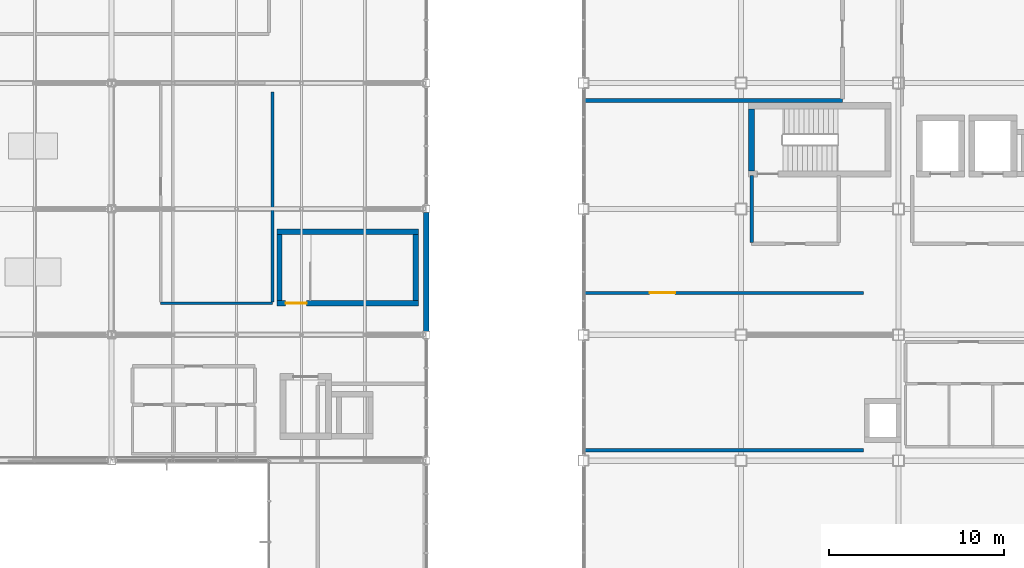
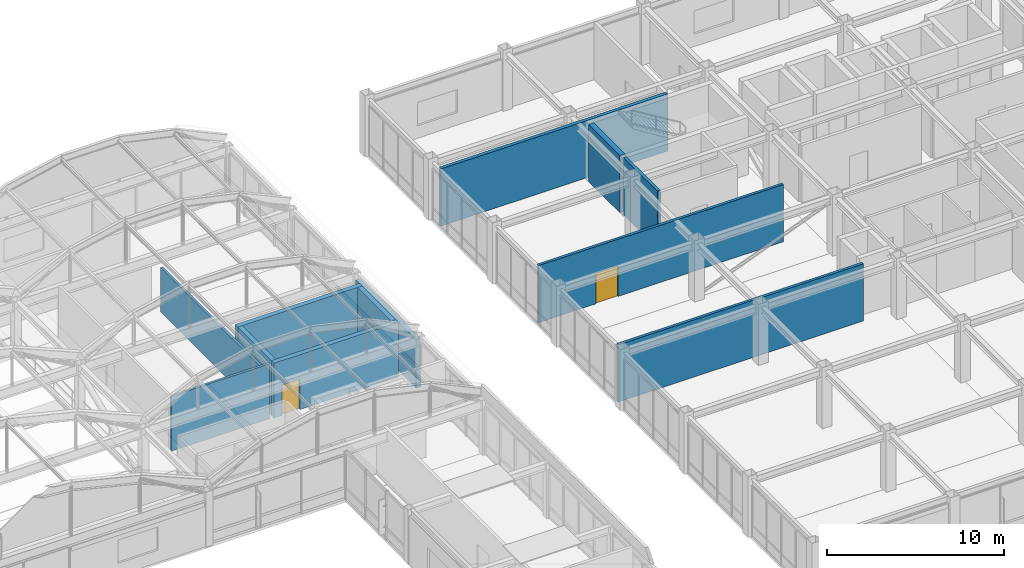
# One storey, part 87 of 106: 12 walls, 2 doors, 2 openings.
"""IFC4 building model written with IfcOpenShell, lengths in metres."""

from ifc_helpers import new_model, si_unit, direction, frame, frame_2d, origin, place, context, subcontext, project, spatial, rectangle, extrude, material, layer, layer_set, type_object, element, fill, save


model = new_model("IFC4")

# Units and contexts
model_context = context("Model", 3, precision=1e-05, world=origin(), true_north=direction((0.0, 1.0)))
body_context = subcontext(model_context, "Body", "Model", "MODEL_VIEW")
ifc_project = project(units=[si_unit("LENGTHUNIT", "METRE"), si_unit("AREAUNIT", "SQUARE_METRE"), si_unit("VOLUMEUNIT", "CUBIC_METRE"), si_unit("PLANEANGLEUNIT", "RADIAN"), si_unit("MASSUNIT", "GRAM", prefix="KILO")], contexts=[model_context])

# Site, building, storey
site_placement = place(None, origin())
site = spatial("IfcSite", under=ifc_project, at=site_placement, CompositionType="ELEMENT")
building_placement = place(site_placement, origin())
building = spatial("IfcBuilding", under=site, at=building_placement, Name="Kazanami Central Library", CompositionType="ELEMENT")
storey_placement = place(building_placement, frame((0.0, 0.0, 12.800048828125)))
storey = spatial("IfcBuildingStorey", under=building, at=storey_placement, Name="L04", CompositionType="ELEMENT", Elevation=12.800048828125)

# Walls
ifc_material_1 = material(Name="Concrete Fc36 (36 MPa)", Category="concrete")
ifc_layer_1 = layer(ifc_material_1, 0.219970703125, Name="Concrete Fc36 (36 MPa)")
ifc_material_2 = material(Name="Extruded Polystyrene XPS", Category="earth")
ifc_layer_2 = layer(ifc_material_2, 0.050048828125, Name="Extruded Polystyrene XPS")
ifc_material_3 = material(Name="Honed Inada Granite", Category="masonry")
ifc_layer_3 = layer(ifc_material_3, 0.030029296875, Name="Honed Inada Granite")
ifc_layer_set_1 = layer_set([ifc_layer_1, ifc_layer_2, ifc_layer_3], Name="Concrete Fc36 (36 MPa)")
wall_type_1 = type_object("IfcWallType", Name="WAL-EW-300", PredefinedType="STANDARD", material=ifc_layer_set_1)
wall_1_placement = place(storey_placement, frame((108.0, 79.0, 0.0), z_axis=(0.0, 0.0, 1.0), x_axis=(0.0, -1.0, 0.0)))
element("IfcWall", 1, at=wall_1_placement, inside=storey, type_object=wall_type_1, Name="Exterior Facade Wall EW-300 L04 E-13-10", PredefinedType="STANDARD", context=body_context, shape_type="SweptSolid", body=[
    extrude(rectangle(XDim=6.800048828125, YDim=0.300048828125, at=frame_2d((3.39990234375, 0.0))), origin(), (0.0, 0.0, 1.0), 3.329833984375),
])
ifc_material_4 = material(Name="Fire-Resistant Gypsum Board GB-F", Category="gypsum")
ifc_layer_4 = layer(ifc_material_4, 0.179931640625, Name="Fire-Resistant Gypsum Board GB-F")
ifc_layer_set_2 = layer_set([ifc_layer_4], Name="Fire-Resistant Gypsum Board GB-F")
wall_type_2 = type_object("IfcWallType", Name="WAL-FW-180", PredefinedType="PARTITIONING", material=ifc_layer_set_2)
wall_2_placement = place(storey_placement, frame((117.034912109375, 65.39990234375, 0.0), z_axis=(0.0, 0.0, 1.0), x_axis=(1.0, 0.0, 0.0)))
element("IfcWall", 2, at=wall_2_placement, inside=storey, type_object=wall_type_2, Name="Interior Partition FW-180 L04 RM-27 (South)", PredefinedType="PARTITIONING", context=body_context, shape_type="SweptSolid", body=[
    extrude(rectangle(XDim=15.965087890625, YDim=0.179931640625, at=frame_2d((7.982421875, 0.0))), origin(), (0.0, 0.0, 1.0), 3.93994140625),
])

# Wall, opening, door
wall_3_placement = place(storey_placement, frame((117.034912109375, 74.39990234375, 0.0), z_axis=(0.0, 0.0, 1.0), x_axis=(1.0, 0.0, 0.0)))
wall_3 = element("IfcWall", 3, at=wall_3_placement, inside=storey, type_object=wall_type_2, Name="Interior Partition FW-180 L04 RM-27 (North)", PredefinedType="PARTITIONING", context=body_context, shape_type="SweptSolid", body=[
    extrude(rectangle(XDim=15.965087890625, YDim=0.179931640625, at=frame_2d((7.982421875, 0.0))), origin(), (0.0, 0.0, 1.0), 3.93994140625),
])
opening_1_placement = place(wall_3_placement, frame((3.739990234375, 0.0, 0.0)))
opening_1 = element("IfcOpeningElement", 4, at=opening_1_placement, cuts=wall_3, Name="Opening FD30-6", PredefinedType="OPENING", context=body_context, shape_type="SweptSolid", body=[
    extrude(rectangle(XDim=1.449951171875, YDim=2.10009765625, at=frame_2d((0.72509765625, 1.050048828125))), frame((0.0, 0.10205078125, 0.0), z_axis=(0.0, -1.0, 0.0), x_axis=(1.0, 0.0, 0.0)), (0.0, 0.0, 1.0), 0.203857421875),
])
ifc_material_5 = material(Name="Cold-Rolled Steel SPCC", Category="steel")
door_type_1 = type_object("IfcDoorType", Name="DOR-FD30-6", OperationType="DOUBLE_DOOR_SINGLE_SWING", PredefinedType="DOOR", material=ifc_material_5)
door_1_placement = place(opening_1_placement, origin())
door_1 = element("IfcDoor", 5, at=door_1_placement, inside=storey, type_object=door_type_1, Name="Interior Door FD30-6 L04 RM-27", OperationType="DOUBLE_DOOR_SINGLE_SWING", OverallHeight=2.10009765625, OverallWidth=1.449951171875, PredefinedType="DOOR", context=body_context, shape_type="SweptSolid", body=[
    extrude(rectangle(XDim=1.449951171875, YDim=2.10009765625, at=frame_2d((0.72509765625, 1.050048828125))), frame((0.0, 0.02490234375, 0.0), z_axis=(0.0, -1.0, 0.0), x_axis=(1.0, 0.0, 0.0)), (0.0, 0.0, 1.0), 0.050048828125),
])
fill(opening_1, door_1)

# Walls
ifc_layer_5 = layer(ifc_material_4, 0.199951171875, Name="Fire-Resistant Gypsum Board GB-F")
ifc_layer_set_3 = layer_set([ifc_layer_5], Name="Fire-Resistant Gypsum Board GB-F")
wall_type_3 = type_object("IfcWallType", Name="WAL-FW-200", PredefinedType="PARTITIONING", material=ifc_layer_set_3)
wall_4_placement = place(storey_placement, frame((126.60009765625, 77.2900390625, 0.0), z_axis=(0.0, 0.0, 1.0), x_axis=(0.0, 1.0, 0.0)))
element("IfcWall", 6, at=wall_4_placement, inside=storey, type_object=wall_type_3, Name="Interior Partition FW-200 L04 VEST-ST-01 (West)", PredefinedType="PARTITIONING", context=body_context, shape_type="SweptSolid", body=[
    extrude(rectangle(XDim=3.820068359375, YDim=0.199951171875, at=frame_2d((1.91015625, 0.0))), origin(), (0.0, 0.0, 1.0), 3.93994140625),
])
ifc_layer_6 = layer(ifc_material_4, 0.219970703125, Name="Fire-Resistant Gypsum Board GB-F")
ifc_layer_set_4 = layer_set([ifc_layer_6], Name="Fire-Resistant Gypsum Board GB-F")
wall_type_4 = type_object("IfcWallType", Name="WAL-FW-220", PredefinedType="PARTITIONING", material=ifc_layer_set_4)
wall_5_placement = place(storey_placement, frame((117.034912109375, 85.39990234375, 0.0), z_axis=(0.0, 0.0, 1.0), x_axis=(1.0, 0.0, 0.0)))
element("IfcWall", 7, at=wall_5_placement, inside=storey, type_object=wall_type_4, Name="Interior Partition FW-220 L04 RM-29 (South)", PredefinedType="PARTITIONING", context=body_context, shape_type="SweptSolid", body=[
    extrude(rectangle(XDim=14.76513671875, YDim=0.219970703125, at=frame_2d((7.382568359375, 0.0))), origin(), (0.0, 0.0, 1.0), 3.93994140625),
])
ifc_material_6 = material(Name="Gypsum Plasterboard GB-R", Category="gypsum")
ifc_layer_7 = layer(ifc_material_6, 0.14990234375, Name="Gypsum Plasterboard GB-R")
ifc_layer_set_5 = layer_set([ifc_layer_7], Name="Gypsum Plasterboard GB-R")
wall_type_5 = type_object("IfcWallType", Name="WAL-PW-150", PredefinedType="PARTITIONING", material=ifc_layer_set_5)
wall_6_placement = place(storey_placement, frame((92.800048828125, 73.800048828125, 0.0), z_axis=(0.0, 0.0, 1.0), x_axis=(1.0, 0.0, 0.0)))
element("IfcWall", 8, at=wall_6_placement, inside=storey, type_object=wall_type_5, Name="Interior Partition PW-150 L04 RM-20 (South)", PredefinedType="PARTITIONING", context=body_context, shape_type="SweptSolid", body=[
    extrude(rectangle(XDim=6.39990234375, YDim=0.14990234375, at=frame_2d((3.199951171875, 0.0))), origin(), (0.0, 0.0, 1.0), 3.780029296875),
])
wall_7_placement = place(storey_placement, frame((99.199951171875, 73.889892578125, 0.0), z_axis=(0.0, 0.0, 1.0), x_axis=(0.0, 1.0, 0.0)))
element("IfcWall", 9, at=wall_7_placement, inside=storey, type_object=wall_type_5, Name="Interior Partition PW-150 L04 RM-20 (East)", PredefinedType="PARTITIONING", context=body_context, shape_type="SweptSolid", body=[
    extrude(rectangle(XDim=12.0, YDim=0.14990234375, at=frame_2d((6.0, 0.0))), origin(), (0.0, 0.0, 1.0), 3.06005859375),
])

# Wall, opening, door
ifc_layer_8 = layer(ifc_material_1, 0.300048828125, Name="Concrete Fc36 (36 MPa)")
ifc_layer_set_6 = layer_set([ifc_layer_8], Name="Concrete Fc36 (36 MPa)")
wall_type_6 = type_object("IfcWallType", Name="WAL-SW-300", PredefinedType="SHEAR", material=ifc_layer_set_6)
wall_8_placement = place(storey_placement, frame((99.449951171875, 73.800048828125, 0.0), z_axis=(0.0, 0.0, 1.0), x_axis=(1.0, 0.0, 0.0)))
wall_8 = element("IfcWall", 10, at=wall_8_placement, inside=storey, type_object=wall_type_6, Name="Stair Core Wall ST-04 South L04", PredefinedType="SHEAR", context=body_context, shape_type="SweptSolid", body=[
    extrude(rectangle(XDim=8.10009765625, YDim=0.300048828125, at=frame_2d((4.050048828125, 0.0))), origin(), (0.0, 0.0, 1.0), 3.780029296875),
])
opening_2_placement = place(wall_8_placement, frame((0.5, 0.0, 0.0)))
opening_2 = element("IfcOpeningElement", 11, at=opening_2_placement, cuts=wall_8, Name="Opening FD60-1", PredefinedType="OPENING", context=body_context, shape_type="SweptSolid", body=[
    extrude(rectangle(XDim=1.199951171875, YDim=2.10009765625, at=frame_2d((0.60009765625, 1.050048828125))), frame((0.0, 0.162109375, 0.0), z_axis=(0.0, -1.0, 0.0), x_axis=(1.0, 0.0, 0.0)), (0.0, 0.0, 1.0), 0.323974609375),
])
door_type_2 = type_object("IfcDoorType", Name="DOR-FD60-1", OperationType="NOTDEFINED", PredefinedType="DOOR", material=ifc_material_5)
door_2_placement = place(opening_2_placement, origin())
door_2 = element("IfcDoor", 12, at=door_2_placement, inside=storey, type_object=door_type_2, Name="Escape Stair ST-04 Fire Door L04", OperationType="SINGLE_SWING_RIGHT", OverallHeight=2.10009765625, OverallWidth=1.199951171875, PredefinedType="DOOR", context=body_context, shape_type="SweptSolid", body=[
    extrude(rectangle(XDim=1.199951171875, YDim=2.10009765625, at=frame_2d((0.60009765625, 1.050048828125))), frame((0.0, 0.02490234375, 0.0), z_axis=(0.0, -1.0, 0.0), x_axis=(1.0, 0.0, 0.0)), (0.0, 0.0, 1.0), 0.050048828125),
])
fill(opening_2, door_2)

# Walls
wall_9_placement = place(storey_placement, frame((99.449951171875, 77.89990234375, 0.0), z_axis=(0.0, 0.0, 1.0), x_axis=(1.0, 0.0, 0.0)))
element("IfcWall", 13, at=wall_9_placement, inside=storey, type_object=wall_type_6, Name="Stair Core Wall ST-04 North L04", PredefinedType="SHEAR", context=body_context, shape_type="SweptSolid", body=[
    extrude(rectangle(XDim=8.10009765625, YDim=0.300048828125, at=frame_2d((4.050048828125, 0.0))), origin(), (0.0, 0.0, 1.0), 3.780029296875),
])
for number, where, z_axis, x_axis, name in (
    (14, (99.60009765625, 73.949951171875, 0.0), (0.0, 0.0, 1.0), (0.0, 1.0, 0.0), "Stair Core Wall ST-04 West L04"),
    (15, (107.39990234375, 73.949951171875, 0.0), (0.0, 0.0, 1.0), (0.0, 1.0, 0.0), "Stair Core Wall ST-04 East L04"),
):
    element("IfcWall", number, at=place(storey_placement, frame(where, z_axis=z_axis, x_axis=x_axis)), inside=storey, type_object=wall_type_6, Name=name, PredefinedType="SHEAR", context=body_context, shape_type="SweptSolid", body=[
        extrude(rectangle(XDim=3.800048828125, YDim=0.300048828125, at=frame_2d((1.89990234375, 0.0))), origin(), (0.0, 0.0, 1.0), 3.780029296875),
    ])
ifc_layer_9 = layer(ifc_material_1, 0.35009765625, Name="Concrete Fc36 (36 MPa)")
ifc_layer_set_7 = layer_set([ifc_layer_9], Name="Concrete Fc36 (36 MPa)")
wall_type_7 = type_object("IfcWallType", Name="WAL-SW-350", PredefinedType="SHEAR", material=ifc_layer_set_7)
wall_10_placement = place(storey_placement, frame((126.60009765625, 81.375, 0.0), z_axis=(0.0, 0.0, 1.0), x_axis=(0.0, 1.0, 0.0)))
element("IfcWall", 16, at=wall_10_placement, inside=storey, type_object=wall_type_7, Name="Stair Core Wall ST-01 West L04", PredefinedType="SHEAR", context=body_context, shape_type="SweptSolid", body=[
    extrude(rectangle(XDim=3.550048828125, YDim=0.35009765625, at=frame_2d((1.77490234375, 0.0))), origin(), (0.0, 0.0, 1.0), 3.93994140625),
])

save(model, "model.ifc")
